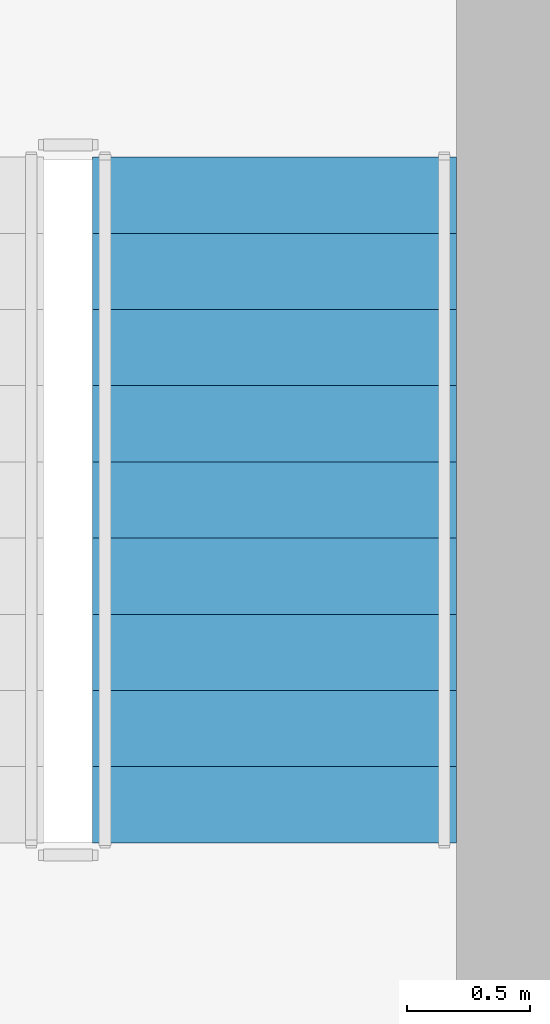
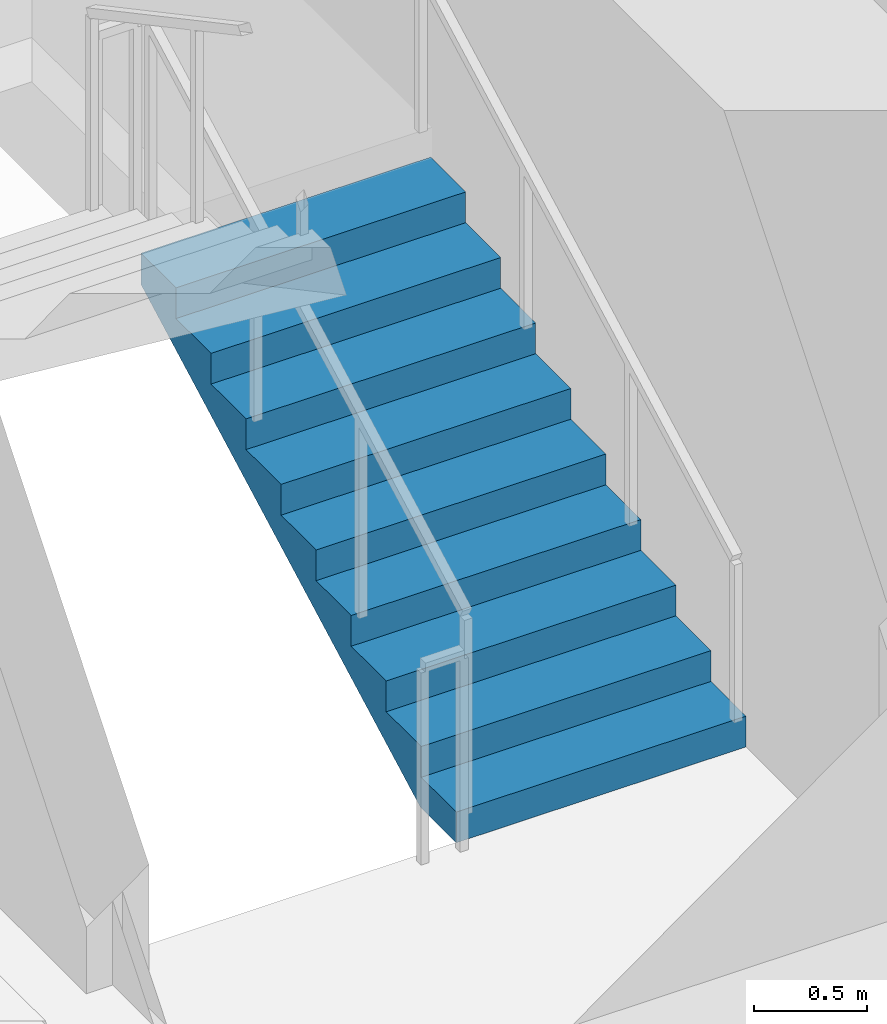
# One storey, part 7 of 11: 1 stair flight, 1 element without a shape of its own.
"""IFC4 building model written with IfcOpenShell, lengths in metres."""

from ifc_helpers import new_model, si_unit, direction, frame, origin, place, context, subcontext, project, spatial, polyline, outline, extrude, material, type_object, element, aggregate, save


model = new_model("IFC4")

# Units and contexts
model_context = context("Model", 3, precision=1e-05, world=origin(), true_north=direction((0.0, 1.0)))
body_context = subcontext(model_context, "Body", "Model", "MODEL_VIEW")
ifc_project = project(units=[si_unit("LENGTHUNIT", "METRE"), si_unit("AREAUNIT", "SQUARE_METRE"), si_unit("VOLUMEUNIT", "CUBIC_METRE"), si_unit("PLANEANGLEUNIT", "RADIAN"), si_unit("MASSUNIT", "GRAM", prefix="KILO")], contexts=[model_context])

# Site, building, storey
site_placement = place(None, origin())
site = spatial("IfcSite", under=ifc_project, at=site_placement, CompositionType="ELEMENT")
building_placement = place(site_placement, origin())
building = spatial("IfcBuilding", under=site, at=building_placement, Name="Solanera Arch Residences", CompositionType="ELEMENT")
storey_placement = place(building_placement, frame((0.0, 0.0, 159.199951171875)))
storey = spatial("IfcBuildingStorey", under=building, at=storey_placement, Name="L46", CompositionType="ELEMENT", Elevation=159.199951171875)

# Stair, stair flight
ifc_material_1 = material(Name="Concrete C40/50 (f'c = 45 MPa)", Category="concrete")
stair_type = type_object("IfcStairType", Name="Tower Dogleg Exit Stair 1480", PredefinedType="HALF_TURN_STAIR", material=ifc_material_1)
stair_placement = place(storey_placement, origin())
stair = element("IfcStair", 1, at=stair_placement, inside=storey, type_object=stair_type, Name="L46 Tower Core Exit Stair 2", PredefinedType="HALF_TURN_STAIR")
ifc_material_2 = material(Name="Concrete C40/50 (f'c = 45 MPa)", Category="concrete")
stair_flight_type = type_object("IfcStairFlightType", Name="Tower Precast Stair Flight 1480", PredefinedType="STRAIGHT", material=ifc_material_2)
stair_flight_placement = place(storey_placement, frame((35.320068359375, 32.47998046875, 0.0), z_axis=(0.0, 0.0, 1.0), x_axis=(0.0, 1.0, 0.0)))
stair_flight = element("IfcStairFlight", 2, at=stair_flight_placement, type_object=stair_flight_type, Name="ST-T2 flight 1", NumberOfRisers=10, NumberOfTreads=9, PredefinedType="STRAIGHT", RiserHeight=0.166, TreadLength=0.31, context=body_context, shape_type="SweptSolid", body=[
    extrude(outline(polyline([(0.0, 0.0), (0.0, 0.166015625), (0.31005859375, 0.166015625), (0.31005859375, 0.33203125), (0.6201171875, 0.33203125), (0.6201171875, 0.498046875), (0.929931640625, 0.498046875), (0.929931640625, 0.6640625), (1.239990234375, 0.6640625), (1.239990234375, 0.830078125), (1.550048828125, 0.830078125), (1.550048828125, 0.99609375), (1.860107421875, 0.99609375), (1.860107421875, 1.162109375), (2.169921875, 1.162109375), (2.169921875, 1.327880859375), (2.47998046875, 1.327880859375), (2.47998046875, 1.493896484375), (2.7900390625, 1.493896484375), (2.7900390625, 1.659912109375), (2.7900390625, 1.323974609375), (0.317626953125, 0.0), (0.0, 0.0)])), frame((0.0, 0.739990234375, 0.0), z_axis=(0.0, -1.0, 0.0), x_axis=(1.0, 0.0, 0.0)), (0.0, 0.0, 1.0), 1.47998046875),
])
aggregate(stair, [stair_flight])

save(model, "model.ifc")
